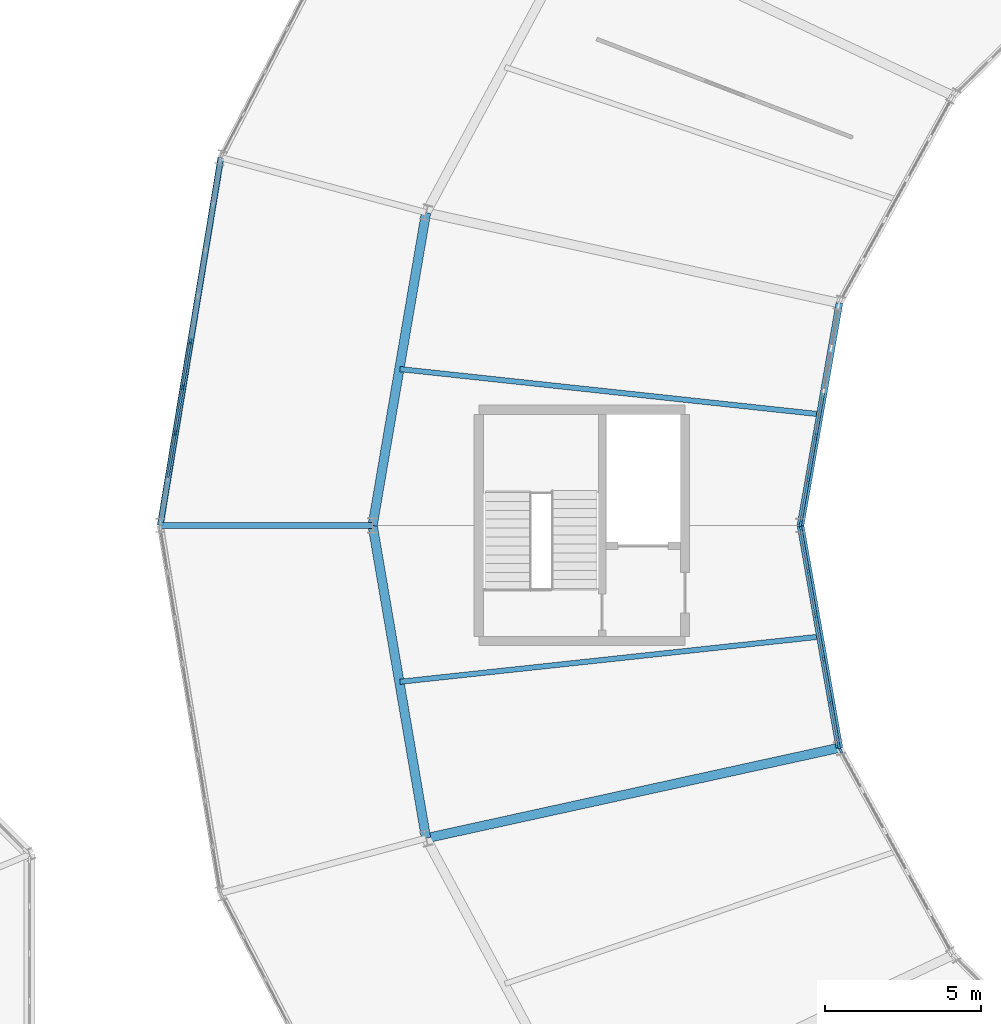
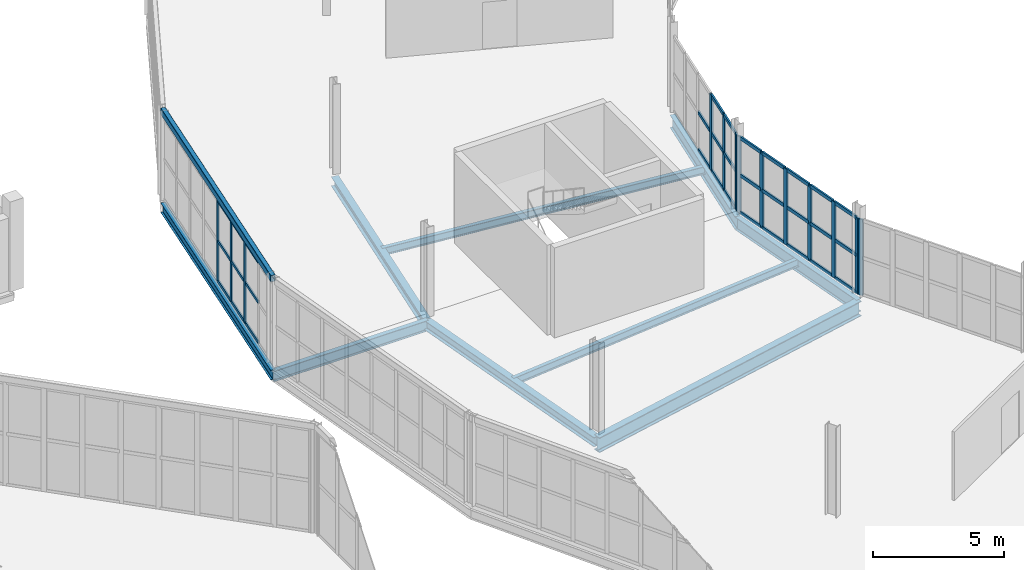
# One storey, part 54 of 161: 45 members, 10 beams, 4 elements without a shape of their own.
"""IFC4 building model written with IfcOpenShell, lengths in metres."""

from ifc_helpers import new_model, si_unit, direction, frame, origin, origin_2d, place, context, subcontext, project, spatial, rectangle, hollow_rectangle, i_section, extrude, material, material_profile, profile_set, type_object, element, aggregate, save


model = new_model("IFC4")

# Units and contexts
model_context = context("Model", 3, precision=1e-05, world=origin(), true_north=direction((0.0, 1.0)))
body_context = subcontext(model_context, "Body", "Model", "MODEL_VIEW")
ifc_project = project(units=[si_unit("LENGTHUNIT", "METRE"), si_unit("AREAUNIT", "SQUARE_METRE"), si_unit("VOLUMEUNIT", "CUBIC_METRE"), si_unit("PLANEANGLEUNIT", "RADIAN"), si_unit("MASSUNIT", "GRAM", prefix="KILO")], contexts=[model_context])

# Site, building, storey
site_placement = place(None, origin())
site = spatial("IfcSite", under=ifc_project, at=site_placement, CompositionType="ELEMENT")
building_placement = place(site_placement, origin())
building = spatial("IfcBuilding", under=site, at=building_placement, Name="Kildeholm Park Wholesale Market", CompositionType="ELEMENT")
storey_placement = place(building_placement, frame((0.0, 0.0, 5.39990234375)))
storey = spatial("IfcBuildingStorey", under=building, at=storey_placement, Name="L01", CompositionType="ELEMENT", Elevation=5.39990234375)

# Beams
ifc_material_1 = material(Name="Steel S355", Category="steel")
ifc_material_profile_1 = material_profile(ifc_material_1, i_section(OverallWidth=0.300048828125, OverallDepth=0.699951171875, WebThickness=0.01708984375, FlangeThickness=0.031982421875, FilletRadius=0.027099609375, at=origin_2d()), Name="HEB 700")
ifc_profile_set_1 = profile_set([ifc_material_profile_1], Name="Steel S355")
beam_type_1 = type_object("IfcBeamType", Name="Beam B-G01 HEB 700", PredefinedType="BEAM", material=ifc_profile_set_1)
beam_1_placement = place(storey_placement, frame((63.743896484375, 82.382080078125, -0.599853515625), z_axis=(-0.976846137752, -0.213943037181, 0.0), x_axis=(0.213943037181, -0.976846137752, 0.0)))
element("IfcBeam", 1, at=beam_1_placement, inside=storey, type_object=beam_type_1, Name="Beam BM-V1-L01-R1-13 BM-0117", PredefinedType="BEAM", context=body_context, shape_type="SweptSolid", body=[
    extrude(i_section(OverallWidth=0.300048828125, OverallDepth=0.699951171875, WebThickness=0.01708984375, FlangeThickness=0.031982421875, FilletRadius=0.027099609375, at=origin_2d()), origin(), (0.0, 0.0, 1.0), 13.546630859375),
])
ifc_material_profile_2 = material_profile(ifc_material_1, i_section(OverallWidth=0.18994140625, OverallDepth=0.449951171875, WebThickness=0.009521484375, FlangeThickness=0.0146484375, FilletRadius=0.02099609375, at=origin_2d()), Name="IPE 450")
ifc_profile_set_2 = profile_set([ifc_material_profile_2], Name="Steel S355")
beam_type_2 = type_object("IfcBeamType", Name="Beam B-P02 IPE 450", PredefinedType="BEAM", material=ifc_profile_set_2)
beam_2_placement = place(storey_placement, frame((43.94189453125, 101.27587890625, -0.474853515625), z_axis=(-0.162706979486, -0.98667443406, 0.0), x_axis=(0.98667443406, -0.162706979486, 0.0)))
element("IfcBeam", 2, at=beam_2_placement, inside=storey, type_object=beam_type_2, Name="Beam BM-V1-L01-CO-11 BM-0105", PredefinedType="BEAM", context=body_context, shape_type="SweptSolid", body=[
    extrude(i_section(OverallWidth=0.18994140625, OverallDepth=0.449951171875, WebThickness=0.009521484375, FlangeThickness=0.0146484375, FilletRadius=0.02099609375, at=origin_2d()), origin(), (0.0, 0.0, 1.0), 11.934814453125),
])
ifc_material_profile_3 = material_profile(ifc_material_1, i_section(OverallWidth=0.199951171875, OverallDepth=0.5, WebThickness=0.01025390625, FlangeThickness=0.01611328125, FilletRadius=0.02099609375, at=origin_2d()), Name="IPE 500")
ifc_profile_set_3 = profile_set([ifc_material_profile_3], Name="Steel S355")
beam_type_3 = type_object("IfcBeamType", Name="Beam B-P03 IPE 500", PredefinedType="BEAM", material=ifc_profile_set_3)
beam_3_placement = place(storey_placement, frame((48.800048828125, 89.5, -0.5), z_axis=(-1.0, 0.0, 0.0), x_axis=(0.0, -1.0, 0.0)))
element("IfcBeam", 3, at=beam_3_placement, inside=storey, type_object=beam_type_3, Name="Beam BM-V1-L01-R2-12 BM-0109", PredefinedType="BEAM", context=body_context, shape_type="SweptSolid", body=[
    extrude(i_section(OverallWidth=0.199951171875, OverallDepth=0.5, WebThickness=0.01025390625, FlangeThickness=0.01611328125, FilletRadius=0.02099609375, at=origin_2d()), origin(), (0.0, 0.0, 1.0), 6.800048828125),
])
ifc_material_profile_4 = material_profile(ifc_material_1, i_section(OverallWidth=0.219970703125, OverallDepth=0.60009765625, WebThickness=0.011962890625, FlangeThickness=0.01904296875, FilletRadius=0.02392578125, at=origin_2d()), Name="IPE 600")
ifc_profile_set_4 = profile_set([ifc_material_profile_4], Name="Steel S355")
beam_type_4 = type_object("IfcBeamType", Name="Beam B-P04 IPE 600", PredefinedType="BEAM", material=ifc_profile_set_4)
for number, where, z_axis, x_axis, name in (
    (4, (63.743896484375, 96.617919921875, -0.5498046875), (-0.172146745201, -0.985071316259, 0.0), (0.985071316259, -0.172146745201, 0.0), "Beam BM-V1-L01-CI-11 BM-0103"),
    (5, (62.5, 89.5, -0.5498046875), (0.172146745201, -0.985071316259, 0.0), (0.985071316259, 0.172146745201, 0.0), "Beam BM-V1-L01-CI-12 BM-0110"),
):
    element("IfcBeam", number, at=place(storey_placement, frame(where, z_axis=z_axis, x_axis=x_axis)), inside=storey, type_object=beam_type_4, Name=name, PredefinedType="BEAM", context=body_context, shape_type="SweptSolid", body=[
        extrude(i_section(OverallWidth=0.219970703125, OverallDepth=0.60009765625, WebThickness=0.011962890625, FlangeThickness=0.01904296875, FilletRadius=0.02392578125, at=origin_2d()), origin(), (0.0, 0.0, 1.0), 7.225830078125),
    ])
ifc_material_profile_5 = material_profile(ifc_material_1, i_section(OverallWidth=0.300048828125, OverallDepth=0.43994140625, WebThickness=0.011474609375, FlangeThickness=0.02099609375, FilletRadius=0.027099609375, at=origin_2d()), Name="HEA 450")
ifc_profile_set_5 = profile_set([ifc_material_profile_5], Name="Steel S355")
beam_type_5 = type_object("IfcBeamType", Name="Beam B-R02 HEA 450", PredefinedType="BEAM", material=ifc_profile_set_5)
for number, where, z_axis, x_axis, name in (
    (6, (50.510986328125, 99.51611328125, -0.469970703125), (-0.168379597692, -0.985722228156, 0.0), (0.985722228156, -0.168379597692, 0.0), "Beam BM-V1-L01-CM-11 BM-0104"),
    (7, (48.800048828125, 89.5, -0.469970703125), (0.168379597692, -0.985722228156, 0.0), (0.985722228156, 0.168379597692, 0.0), "Beam BM-V1-L01-CM-12 BM-0111"),
):
    element("IfcBeam", number, at=place(storey_placement, frame(where, z_axis=z_axis, x_axis=x_axis)), inside=storey, type_object=beam_type_5, Name=name, PredefinedType="BEAM", context=body_context, shape_type="SweptSolid", body=[
        extrude(i_section(OverallWidth=0.300048828125, OverallDepth=0.43994140625, WebThickness=0.011474609375, FlangeThickness=0.02099609375, FilletRadius=0.027099609375, at=origin_2d()), origin(), (0.0, 0.0, 1.0), 10.1611328125),
    ])
ifc_material_profile_6 = material_profile(ifc_material_1, i_section(OverallWidth=0.169921875, OverallDepth=0.360107421875, WebThickness=0.008056640625, FlangeThickness=0.0126953125, FilletRadius=0.01806640625, at=origin_2d()), Name="IPE 360")
ifc_profile_set_6 = profile_set([ifc_material_profile_6], Name="Steel S355")
beam_type_6 = type_object("IfcBeamType", Name="Beam J-04 IPE 360", PredefinedType="JOIST", material=ifc_profile_set_6)
for number, where, z_axis, x_axis, name in (
    (8, (63.10205078125, 93.06103515625, -0.429931640625), (-0.994260078886, 0.106990165591, 0.0), (-0.106990165591, -0.994260078886, 0.0), "Beam JT-V1-L01-11 BM-0108"),
    (9, (63.10205078125, 85.93896484375, -0.429931640625), (-0.994260078886, -0.106990165591, 0.0), (0.106990165591, -0.994260078886, 0.0), "Beam JT-V1-L01-12 BM-0115"),
):
    element("IfcBeam", number, at=place(storey_placement, frame(where, z_axis=z_axis, x_axis=x_axis)), inside=storey, type_object=beam_type_6, Name=name, PredefinedType="JOIST", context=body_context, shape_type="SweptSolid", body=[
        extrude(i_section(OverallWidth=0.169921875, OverallDepth=0.360107421875, WebThickness=0.008056640625, FlangeThickness=0.0126953125, FilletRadius=0.01806640625, at=origin_2d()), origin(), (0.0, 0.0, 1.0), 13.504150390625),
    ])
ifc_material_profile_7 = material_profile(ifc_material_1, hollow_rectangle(XDim=0.199951171875, YDim=0.300048828125, WallThickness=0.012451171875, InnerFilletRadius=0.012451171875, OuterFilletRadius=0.02490234375, at=origin_2d()), Name="RHS 300x200x12.5")
ifc_profile_set_7 = profile_set([ifc_material_profile_7], Name="Steel S355")
beam_type_7 = type_object("IfcBeamType", Name="Beam SP-01 RHS 300x200x12.5", PredefinedType="SPANDREL", material=ifc_profile_set_7)
beam_4_placement = place(storey_placement, frame((43.94189453125, 101.27587890625, 4.02294921875), z_axis=(-0.162706979486, -0.98667443406, 0.0), x_axis=(0.98667443406, -0.162706979486, 0.0)))
element("IfcBeam", 10, at=beam_4_placement, inside=storey, type_object=beam_type_7, Name="Beam SP-V1-EAV-11 BM-0286", PredefinedType="SPANDREL", context=body_context, shape_type="SweptSolid", body=[
    extrude(hollow_rectangle(XDim=0.199951171875, YDim=0.300048828125, WallThickness=0.012451171875, InnerFilletRadius=0.012451171875, OuterFilletRadius=0.02490234375, at=origin_2d()), origin(), (0.0, 0.0, 1.0), 11.934814453125),
])

# Curtain wall, members
ifc_material_2 = material(Name="Anodised aluminium and low-E double-glazed glass", Category="aluminium")
curtain_wall_type = type_object("IfcCurtainWallType", Name="Market hall glazed arcade stick curtain wall CW-01", PredefinedType="NOTDEFINED", material=ifc_material_2)
curtain_wall_1_placement = place(storey_placement, origin())
curtain_wall_1 = element("IfcCurtainWall", 11, at=curtain_wall_1_placement, inside=storey, type_object=curtain_wall_type, Name="Curtain wall CW-V1-OT-11-1 CW-0054", PredefinedType="NOTDEFINED")
ifc_material_3 = material(Name="Anodised aluminium", Category="aluminium")
ifc_material_profile_8 = material_profile(ifc_material_3, rectangle(XDim=0.06494140625, YDim=0.179931640625, at=origin_2d()), Name="CWM 65x180")
ifc_profile_set_8 = profile_set([ifc_material_profile_8], Name="Anodised aluminium")
member_type_1 = type_object("IfcMemberType", Name="Curtain-wall mullion CWM-1 CWM 65x180", PredefinedType="MULLION", material=ifc_profile_set_8)
member_1_placement = place(storey_placement, frame((42.964599609375, 95.388916015625, 0.0), z_axis=(0.0, 0.0, 1.0), x_axis=(0.98667513756, -0.162702713317, 0.0)))
member_1 = element("IfcMember", 12, at=member_1_placement, type_object=member_type_1, Name="CW-01 mullion 5 MEM-1875", PredefinedType="MULLION", context=body_context, shape_type="SweptSolid", body=[
    extrude(rectangle(XDim=0.06494140625, YDim=0.179931640625, at=origin_2d()), origin(), (0.0, 0.0, 1.0), 3.800048828125),
])
member_2_placement = place(storey_placement, frame((42.723388671875, 93.9267578125, 0.0), z_axis=(0.0, 0.0, 1.0), x_axis=(0.98667513756, -0.162702713317, 0.0)))
member_2 = element("IfcMember", 13, at=member_2_placement, type_object=member_type_1, Name="CW-01 mullion 6 MEM-1876", PredefinedType="MULLION", context=body_context, shape_type="SweptSolid", body=[
    extrude(rectangle(XDim=0.06494140625, YDim=0.179931640625, at=origin_2d()), origin(), (0.0, 0.0, 1.0), 3.800048828125),
])
member_3_placement = place(storey_placement, frame((42.482177734375, 92.464599609375, 0.0), z_axis=(0.0, 0.0, 1.0), x_axis=(0.98667513756, -0.162702713317, 0.0)))
member_3 = element("IfcMember", 14, at=member_3_placement, type_object=member_type_1, Name="CW-01 mullion 7 MEM-1877", PredefinedType="MULLION", context=body_context, shape_type="SweptSolid", body=[
    extrude(rectangle(XDim=0.06494140625, YDim=0.179931640625, at=origin_2d()), origin(), (0.0, 0.0, 1.0), 3.800048828125),
])

curtain_wall_2_placement = place(storey_placement, origin())
curtain_wall_2 = element("IfcCurtainWall", 15, at=curtain_wall_2_placement, inside=storey, type_object=curtain_wall_type, Name="Curtain wall CW-V1-IN1-11 CW-0057", PredefinedType="NOTDEFINED")
ifc_material_profile_9 = material_profile(ifc_material_3, rectangle(XDim=0.074951171875, YDim=0.219970703125, at=origin_2d()), Name="CWM 75x220")
ifc_profile_set_9 = profile_set([ifc_material_profile_9], Name="Anodised aluminium")
member_type_2 = type_object("IfcMemberType", Name="Curtain-wall mullion CWM-2 CWM 75x220", PredefinedType="MULLION", material=ifc_profile_set_9)
member_4_placement = place(storey_placement, frame((62.991943359375, 92.355712890625, 0.0), z_axis=(0.0, 0.0, 1.0), x_axis=(0.985073802851, -0.172132515628, 0.0)))
member_4 = element("IfcMember", 16, at=member_4_placement, type_object=member_type_2, Name="CW-01 mullion 4 MEM-1957", PredefinedType="MULLION", context=body_context, shape_type="SweptSolid", body=[
    extrude(rectangle(XDim=0.074951171875, YDim=0.219970703125, at=origin_2d()), origin(), (0.0, 0.0, 1.0), 3.550048828125),
])
member_5_placement = place(storey_placement, frame((62.74609375, 90.94775390625, 0.0), z_axis=(0.0, 0.0, 1.0), x_axis=(0.985073802851, -0.172132515628, 0.0)))
member_5 = element("IfcMember", 17, at=member_5_placement, type_object=member_type_2, Name="CW-01 mullion 5 MEM-1958", PredefinedType="MULLION", context=body_context, shape_type="SweptSolid", body=[
    extrude(rectangle(XDim=0.074951171875, YDim=0.219970703125, at=origin_2d()), origin(), (0.0, 0.0, 1.0), 3.550048828125),
])
member_6_placement = place(storey_placement, frame((62.50634765625, 89.576904296875, 0.0), z_axis=(0.0, 0.0, 1.0), x_axis=(0.985073802851, -0.172132515628, 0.0)))
member_6 = element("IfcMember", 18, at=member_6_placement, type_object=member_type_2, Name="CW-01 mullion 6 MEM-1959", PredefinedType="MULLION", context=body_context, shape_type="SweptSolid", body=[
    extrude(rectangle(XDim=0.074951171875, YDim=0.219970703125, at=origin_2d()), origin(), (0.0, 0.0, 1.0), 3.550048828125),
])

curtain_wall_3_placement = place(storey_placement, origin())
curtain_wall_3 = element("IfcCurtainWall", 19, at=curtain_wall_3_placement, inside=storey, type_object=curtain_wall_type, Name="Curtain wall CW-V1-IN1-12 CW-0062", PredefinedType="NOTDEFINED")
member_7_placement = place(storey_placement, frame((62.50634765625, 89.423095703125, 0.0), z_axis=(0.0, 0.0, 1.0), x_axis=(0.985073802851, 0.172132515628, 0.0)))
member_7 = element("IfcMember", 20, at=member_7_placement, type_object=member_type_2, Name="CW-01 mullion 1 MEM-2079", PredefinedType="MULLION", context=body_context, shape_type="SweptSolid", body=[
    extrude(rectangle(XDim=0.074951171875, YDim=0.219970703125, at=origin_2d()), origin(), (0.0, 0.0, 1.0), 3.550048828125),
])
member_8_placement = place(storey_placement, frame((62.74609375, 88.05224609375, 0.0), z_axis=(0.0, 0.0, 1.0), x_axis=(0.985073802851, 0.172132515628, 0.0)))
member_8 = element("IfcMember", 21, at=member_8_placement, type_object=member_type_2, Name="CW-01 mullion 2 MEM-2080", PredefinedType="MULLION", context=body_context, shape_type="SweptSolid", body=[
    extrude(rectangle(XDim=0.074951171875, YDim=0.219970703125, at=origin_2d()), origin(), (0.0, 0.0, 1.0), 3.550048828125),
])
member_9_placement = place(storey_placement, frame((62.991943359375, 86.644287109375, 0.0), z_axis=(0.0, 0.0, 1.0), x_axis=(0.985073802851, 0.172132515628, 0.0)))
member_9 = element("IfcMember", 22, at=member_9_placement, type_object=member_type_2, Name="CW-01 mullion 3 MEM-2081", PredefinedType="MULLION", context=body_context, shape_type="SweptSolid", body=[
    extrude(rectangle(XDim=0.074951171875, YDim=0.219970703125, at=origin_2d()), origin(), (0.0, 0.0, 1.0), 3.550048828125),
])
member_10_placement = place(storey_placement, frame((63.238037109375, 85.236572265625, 0.0), z_axis=(0.0, 0.0, 1.0), x_axis=(0.985073802851, 0.172132515628, 0.0)))
member_10 = element("IfcMember", 23, at=member_10_placement, type_object=member_type_2, Name="CW-01 mullion 4 MEM-2082", PredefinedType="MULLION", context=body_context, shape_type="SweptSolid", body=[
    extrude(rectangle(XDim=0.074951171875, YDim=0.219970703125, at=origin_2d()), origin(), (0.0, 0.0, 1.0), 3.550048828125),
])
member_11_placement = place(storey_placement, frame((63.48388671875, 83.828857421875, 0.0), z_axis=(0.0, 0.0, 1.0), x_axis=(0.985073802851, 0.172132515628, 0.0)))
member_11 = element("IfcMember", 24, at=member_11_placement, type_object=member_type_2, Name="CW-01 mullion 5 MEM-2083", PredefinedType="MULLION", context=body_context, shape_type="SweptSolid", body=[
    extrude(rectangle(XDim=0.074951171875, YDim=0.219970703125, at=origin_2d()), origin(), (0.0, 0.0, 1.0), 3.550048828125),
])
member_12_placement = place(storey_placement, frame((63.7236328125, 82.4580078125, 0.0), z_axis=(0.0, 0.0, 1.0), x_axis=(0.985073802851, 0.172132515628, 0.0)))
member_12 = element("IfcMember", 25, at=member_12_placement, type_object=member_type_2, Name="CW-01 mullion 6 MEM-2084", PredefinedType="MULLION", context=body_context, shape_type="SweptSolid", body=[
    extrude(rectangle(XDim=0.074951171875, YDim=0.219970703125, at=origin_2d()), origin(), (0.0, 0.0, 1.0), 3.550048828125),
])

# Curtain wall, member
curtain_wall_4_placement = place(storey_placement, origin())
curtain_wall_4 = element("IfcCurtainWall", 26, at=curtain_wall_4_placement, inside=storey, type_object=curtain_wall_type, Name="Curtain wall CW-V1-IN1-13 CW-0067", PredefinedType="NOTDEFINED")
member_13_placement = place(storey_placement, frame((63.775146484375, 82.313232421875, 0.0), z_axis=(0.0, 0.0, 1.0), x_axis=(0.876308922506, 0.481749595055, 0.0)))
member_13 = element("IfcMember", 27, at=member_13_placement, type_object=member_type_2, Name="CW-01 mullion 1 MEM-2204", PredefinedType="MULLION", context=body_context, shape_type="SweptSolid", body=[
    extrude(rectangle(XDim=0.074951171875, YDim=0.219970703125, at=origin_2d()), origin(), (0.0, 0.0, 1.0), 3.550048828125),
])
aggregate(curtain_wall_4, [member_13])

# Member
ifc_material_profile_10 = material_profile(ifc_material_3, rectangle(XDim=0.06494140625, YDim=0.139892578125, at=origin_2d()), Name="CWT 65x140")
ifc_profile_set_10 = profile_set([ifc_material_profile_10], Name="Anodised aluminium")
member_type_3 = type_object("IfcMemberType", Name="Curtain-wall transom CWT-1 CWT 65x140", PredefinedType="USERDEFINED", material=ifc_profile_set_10)
member_14_placement = place(storey_placement, frame((42.959228515625, 95.35693359375, 0.03271484375), z_axis=(-0.162638607798, -0.98668570642, 0.0), x_axis=(0.98668570642, -0.162638607798, 0.0)))
member_14 = element("IfcMember", 28, at=member_14_placement, type_object=member_type_3, Name="CW-01 transom 5.1 MEM-1892", ObjectType="TRANSOM", PredefinedType="USERDEFINED", context=body_context, shape_type="SweptSolid", body=[
    extrude(rectangle(XDim=0.06494140625, YDim=0.139892578125, at=origin_2d()), origin(), (0.0, 0.0, 1.0), 1.4169921875),
])

member_15_placement = place(storey_placement, frame((42.959228515625, 95.35693359375, 1.900146484375), z_axis=(-0.162638607798, -0.98668570642, 0.0), x_axis=(0.98668570642, -0.162638607798, 0.0)))
member_15 = element("IfcMember", 29, at=member_15_placement, type_object=member_type_3, Name="CW-01 transom 5.2 MEM-1893", ObjectType="TRANSOM", PredefinedType="USERDEFINED", context=body_context, shape_type="SweptSolid", body=[
    extrude(rectangle(XDim=0.06494140625, YDim=0.139892578125, at=origin_2d()), origin(), (0.0, 0.0, 1.0), 1.4169921875),
])

member_16_placement = place(storey_placement, frame((42.959228515625, 95.35693359375, 3.767578125), z_axis=(-0.162638607798, -0.98668570642, 0.0), x_axis=(0.98668570642, -0.162638607798, 0.0)))
member_16 = element("IfcMember", 30, at=member_16_placement, type_object=member_type_3, Name="CW-01 transom 5.3 MEM-1894", ObjectType="TRANSOM", PredefinedType="USERDEFINED", context=body_context, shape_type="SweptSolid", body=[
    extrude(rectangle(XDim=0.06494140625, YDim=0.139892578125, at=origin_2d()), origin(), (0.0, 0.0, 1.0), 1.4169921875),
])

member_17_placement = place(storey_placement, frame((42.718017578125, 93.894775390625, 0.03271484375), z_axis=(-0.162638607798, -0.98668570642, 0.0), x_axis=(0.98668570642, -0.162638607798, 0.0)))
member_17 = element("IfcMember", 31, at=member_17_placement, type_object=member_type_3, Name="CW-01 transom 6.1 MEM-1895", ObjectType="TRANSOM", PredefinedType="USERDEFINED", context=body_context, shape_type="SweptSolid", body=[
    extrude(rectangle(XDim=0.06494140625, YDim=0.139892578125, at=origin_2d()), origin(), (0.0, 0.0, 1.0), 1.4169921875),
])

member_18_placement = place(storey_placement, frame((42.718017578125, 93.894775390625, 1.900146484375), z_axis=(-0.162638607798, -0.98668570642, 0.0), x_axis=(0.98668570642, -0.162638607798, 0.0)))
member_18 = element("IfcMember", 32, at=member_18_placement, type_object=member_type_3, Name="CW-01 transom 6.2 MEM-1896", ObjectType="TRANSOM", PredefinedType="USERDEFINED", context=body_context, shape_type="SweptSolid", body=[
    extrude(rectangle(XDim=0.06494140625, YDim=0.139892578125, at=origin_2d()), origin(), (0.0, 0.0, 1.0), 1.4169921875),
])

member_19_placement = place(storey_placement, frame((42.718017578125, 93.894775390625, 3.767578125), z_axis=(-0.162638607798, -0.98668570642, 0.0), x_axis=(0.98668570642, -0.162638607798, 0.0)))
member_19 = element("IfcMember", 33, at=member_19_placement, type_object=member_type_3, Name="CW-01 transom 6.3 MEM-1897", ObjectType="TRANSOM", PredefinedType="USERDEFINED", context=body_context, shape_type="SweptSolid", body=[
    extrude(rectangle(XDim=0.06494140625, YDim=0.139892578125, at=origin_2d()), origin(), (0.0, 0.0, 1.0), 1.4169921875),
])

member_20_placement = place(storey_placement, frame((42.47705078125, 92.432373046875, 0.03271484375), z_axis=(-0.162834009189, -0.9866534779, 0.0), x_axis=(0.9866534779, -0.162834009189, 0.0)))
member_20 = element("IfcMember", 34, at=member_20_placement, type_object=member_type_3, Name="CW-01 transom 7.1 MEM-1898", ObjectType="TRANSOM", PredefinedType="USERDEFINED", context=body_context, shape_type="SweptSolid", body=[
    extrude(rectangle(XDim=0.06494140625, YDim=0.139892578125, at=origin_2d()), origin(), (0.0, 0.0, 1.0), 1.416748046875),
])

member_21_placement = place(storey_placement, frame((42.47705078125, 92.432373046875, 1.900146484375), z_axis=(-0.162834009189, -0.9866534779, 0.0), x_axis=(0.9866534779, -0.162834009189, 0.0)))
member_21 = element("IfcMember", 35, at=member_21_placement, type_object=member_type_3, Name="CW-01 transom 7.2 MEM-1899", ObjectType="TRANSOM", PredefinedType="USERDEFINED", context=body_context, shape_type="SweptSolid", body=[
    extrude(rectangle(XDim=0.06494140625, YDim=0.139892578125, at=origin_2d()), origin(), (0.0, 0.0, 1.0), 1.416748046875),
])

member_22_placement = place(storey_placement, frame((42.47705078125, 92.432373046875, 3.767578125), z_axis=(-0.162834009189, -0.9866534779, 0.0), x_axis=(0.9866534779, -0.162834009189, 0.0)))
member_22 = element("IfcMember", 36, at=member_22_placement, type_object=member_type_3, Name="CW-01 transom 7.3 MEM-1900", ObjectType="TRANSOM", PredefinedType="USERDEFINED", context=body_context, shape_type="SweptSolid", body=[
    extrude(rectangle(XDim=0.06494140625, YDim=0.139892578125, at=origin_2d()), origin(), (0.0, 0.0, 1.0), 1.416748046875),
])

aggregate(curtain_wall_1, [member_1, member_2, member_3, member_14, member_15, member_16, member_17, member_18, member_19, member_20, member_21, member_22])

ifc_material_profile_11 = material_profile(ifc_material_3, rectangle(XDim=0.074951171875, YDim=0.159912109375, at=origin_2d()), Name="CWT 75x160")
ifc_profile_set_11 = profile_set([ifc_material_profile_11], Name="Anodised aluminium")
member_type_4 = type_object("IfcMemberType", Name="Curtain-wall transom CWT-2 CWT 75x160", PredefinedType="USERDEFINED", material=ifc_profile_set_11)
member_23_placement = place(storey_placement, frame((63.2314453125, 93.7265625, 0.03759765625), z_axis=(-0.17199546935, -0.985097740594, 0.0), x_axis=(0.985097740594, -0.17199546935, 0.0)))
member_23 = element("IfcMember", 37, at=member_23_placement, type_object=member_type_4, Name="CW-01 transom 3.1 MEM-1966", ObjectType="TRANSOM", PredefinedType="USERDEFINED", context=body_context, shape_type="SweptSolid", body=[
    extrude(rectangle(XDim=0.074951171875, YDim=0.159912109375, at=origin_2d()), origin(), (0.0, 0.0, 1.0), 1.354248046875),
])

member_24_placement = place(storey_placement, frame((63.2314453125, 93.7265625, 1.775146484375), z_axis=(-0.17199546935, -0.985097740594, 0.0), x_axis=(0.985097740594, -0.17199546935, 0.0)))
member_24 = element("IfcMember", 38, at=member_24_placement, type_object=member_type_4, Name="CW-01 transom 3.2 MEM-1967", ObjectType="TRANSOM", PredefinedType="USERDEFINED", context=body_context, shape_type="SweptSolid", body=[
    extrude(rectangle(XDim=0.074951171875, YDim=0.159912109375, at=origin_2d()), origin(), (0.0, 0.0, 1.0), 1.354248046875),
])

member_25_placement = place(storey_placement, frame((62.985595703125, 92.318603515625, 0.03759765625), z_axis=(-0.17217041658, -0.98506717926, 0.0), x_axis=(0.98506717926, -0.17217041658, 0.0)))
member_25 = element("IfcMember", 39, at=member_25_placement, type_object=member_type_4, Name="CW-01 transom 4.1 MEM-1969", ObjectType="TRANSOM", PredefinedType="USERDEFINED", context=body_context, shape_type="SweptSolid", body=[
    extrude(rectangle(XDim=0.074951171875, YDim=0.159912109375, at=origin_2d()), origin(), (0.0, 0.0, 1.0), 1.354248046875),
])

member_26_placement = place(storey_placement, frame((62.985595703125, 92.318603515625, 1.775146484375), z_axis=(-0.17217041658, -0.98506717926, 0.0), x_axis=(0.98506717926, -0.17217041658, 0.0)))
member_26 = element("IfcMember", 40, at=member_26_placement, type_object=member_type_4, Name="CW-01 transom 4.2 MEM-1970", ObjectType="TRANSOM", PredefinedType="USERDEFINED", context=body_context, shape_type="SweptSolid", body=[
    extrude(rectangle(XDim=0.074951171875, YDim=0.159912109375, at=origin_2d()), origin(), (0.0, 0.0, 1.0), 1.354248046875),
])

member_27_placement = place(storey_placement, frame((62.985595703125, 92.318603515625, 3.5126953125), z_axis=(-0.17217041658, -0.98506717926, 0.0), x_axis=(0.98506717926, -0.17217041658, 0.0)))
member_27 = element("IfcMember", 41, at=member_27_placement, type_object=member_type_4, Name="CW-01 transom 4.3 MEM-1971", ObjectType="TRANSOM", PredefinedType="USERDEFINED", context=body_context, shape_type="SweptSolid", body=[
    extrude(rectangle(XDim=0.074951171875, YDim=0.159912109375, at=origin_2d()), origin(), (0.0, 0.0, 1.0), 1.354248046875),
])

member_28_placement = place(storey_placement, frame((62.739501953125, 90.910888671875, 0.03759765625), z_axis=(-0.172060998264, -0.985086297172, 0.0), x_axis=(0.985086297172, -0.172060998264, 0.0)))
member_28 = element("IfcMember", 42, at=member_28_placement, type_object=member_type_4, Name="CW-01 transom 5.1 MEM-1972", ObjectType="TRANSOM", PredefinedType="USERDEFINED", context=body_context, shape_type="SweptSolid", body=[
    extrude(rectangle(XDim=0.074951171875, YDim=0.159912109375, at=origin_2d()), origin(), (0.0, 0.0, 1.0), 1.316650390625),
])

member_29_placement = place(storey_placement, frame((62.739501953125, 90.910888671875, 1.775146484375), z_axis=(-0.172060998264, -0.985086297172, 0.0), x_axis=(0.985086297172, -0.172060998264, 0.0)))
member_29 = element("IfcMember", 43, at=member_29_placement, type_object=member_type_4, Name="CW-01 transom 5.2 MEM-1973", ObjectType="TRANSOM", PredefinedType="USERDEFINED", context=body_context, shape_type="SweptSolid", body=[
    extrude(rectangle(XDim=0.074951171875, YDim=0.159912109375, at=origin_2d()), origin(), (0.0, 0.0, 1.0), 1.316650390625),
])

member_30_placement = place(storey_placement, frame((62.739501953125, 90.910888671875, 3.5126953125), z_axis=(-0.172060998264, -0.985086297172, 0.0), x_axis=(0.985086297172, -0.172060998264, 0.0)))
member_30 = element("IfcMember", 44, at=member_30_placement, type_object=member_type_4, Name="CW-01 transom 5.3 MEM-1974", ObjectType="TRANSOM", PredefinedType="USERDEFINED", context=body_context, shape_type="SweptSolid", body=[
    extrude(rectangle(XDim=0.074951171875, YDim=0.159912109375, at=origin_2d()), origin(), (0.0, 0.0, 1.0), 1.316650390625),
])

aggregate(curtain_wall_2, [member_4, member_5, member_6, member_23, member_24, member_25, member_26, member_27, member_28, member_29, member_30])

member_31_placement = place(storey_placement, frame((62.512939453125, 89.38623046875, 0.03759765625), z_axis=(0.172060998264, -0.985086297172, 0.0), x_axis=(0.985086297172, 0.172060998264, 0.0)))
member_31 = element("IfcMember", 45, at=member_31_placement, type_object=member_type_4, Name="CW-01 transom 1.1 MEM-2085", ObjectType="TRANSOM", PredefinedType="USERDEFINED", context=body_context, shape_type="SweptSolid", body=[
    extrude(rectangle(XDim=0.074951171875, YDim=0.159912109375, at=origin_2d()), origin(), (0.0, 0.0, 1.0), 1.316650390625),
])

member_32_placement = place(storey_placement, frame((62.512939453125, 89.38623046875, 1.775146484375), z_axis=(0.172060998264, -0.985086297172, 0.0), x_axis=(0.985086297172, 0.172060998264, 0.0)))
member_32 = element("IfcMember", 46, at=member_32_placement, type_object=member_type_4, Name="CW-01 transom 1.2 MEM-2086", ObjectType="TRANSOM", PredefinedType="USERDEFINED", context=body_context, shape_type="SweptSolid", body=[
    extrude(rectangle(XDim=0.074951171875, YDim=0.159912109375, at=origin_2d()), origin(), (0.0, 0.0, 1.0), 1.316650390625),
])

member_33_placement = place(storey_placement, frame((62.512939453125, 89.38623046875, 3.5126953125), z_axis=(0.172060998264, -0.985086297172, 0.0), x_axis=(0.985086297172, 0.172060998264, 0.0)))
member_33 = element("IfcMember", 47, at=member_33_placement, type_object=member_type_4, Name="CW-01 transom 1.3 MEM-2087", ObjectType="TRANSOM", PredefinedType="USERDEFINED", context=body_context, shape_type="SweptSolid", body=[
    extrude(rectangle(XDim=0.074951171875, YDim=0.159912109375, at=origin_2d()), origin(), (0.0, 0.0, 1.0), 1.316650390625),
])

member_34_placement = place(storey_placement, frame((62.75244140625, 88.015380859375, 0.03759765625), z_axis=(0.17217041658, -0.98506717926, 0.0), x_axis=(0.98506717926, 0.17217041658, 0.0)))
member_34 = element("IfcMember", 48, at=member_34_placement, type_object=member_type_4, Name="CW-01 transom 2.1 MEM-2088", ObjectType="TRANSOM", PredefinedType="USERDEFINED", context=body_context, shape_type="SweptSolid", body=[
    extrude(rectangle(XDim=0.074951171875, YDim=0.159912109375, at=origin_2d()), origin(), (0.0, 0.0, 1.0), 1.354248046875),
])

member_35_placement = place(storey_placement, frame((62.75244140625, 88.015380859375, 1.775146484375), z_axis=(0.17217041658, -0.98506717926, 0.0), x_axis=(0.98506717926, 0.17217041658, 0.0)))
member_35 = element("IfcMember", 49, at=member_35_placement, type_object=member_type_4, Name="CW-01 transom 2.2 MEM-2089", ObjectType="TRANSOM", PredefinedType="USERDEFINED", context=body_context, shape_type="SweptSolid", body=[
    extrude(rectangle(XDim=0.074951171875, YDim=0.159912109375, at=origin_2d()), origin(), (0.0, 0.0, 1.0), 1.354248046875),
])

member_36_placement = place(storey_placement, frame((62.75244140625, 88.015380859375, 3.5126953125), z_axis=(0.17217041658, -0.98506717926, 0.0), x_axis=(0.98506717926, 0.17217041658, 0.0)))
member_36 = element("IfcMember", 50, at=member_36_placement, type_object=member_type_4, Name="CW-01 transom 2.3 MEM-2090", ObjectType="TRANSOM", PredefinedType="USERDEFINED", context=body_context, shape_type="SweptSolid", body=[
    extrude(rectangle(XDim=0.074951171875, YDim=0.159912109375, at=origin_2d()), origin(), (0.0, 0.0, 1.0), 1.354248046875),
])

member_37_placement = place(storey_placement, frame((62.99853515625, 86.607421875, 0.03759765625), z_axis=(0.17199546935, -0.985097740594, 0.0), x_axis=(0.985097740594, 0.17199546935, 0.0)))
member_37 = element("IfcMember", 51, at=member_37_placement, type_object=member_type_4, Name="CW-01 transom 3.1 MEM-2091", ObjectType="TRANSOM", PredefinedType="USERDEFINED", context=body_context, shape_type="SweptSolid", body=[
    extrude(rectangle(XDim=0.074951171875, YDim=0.159912109375, at=origin_2d()), origin(), (0.0, 0.0, 1.0), 1.354248046875),
])

member_38_placement = place(storey_placement, frame((62.99853515625, 86.607421875, 1.775146484375), z_axis=(0.17199546935, -0.985097740594, 0.0), x_axis=(0.985097740594, 0.17199546935, 0.0)))
member_38 = element("IfcMember", 52, at=member_38_placement, type_object=member_type_4, Name="CW-01 transom 3.2 MEM-2092", ObjectType="TRANSOM", PredefinedType="USERDEFINED", context=body_context, shape_type="SweptSolid", body=[
    extrude(rectangle(XDim=0.074951171875, YDim=0.159912109375, at=origin_2d()), origin(), (0.0, 0.0, 1.0), 1.354248046875),
])

member_39_placement = place(storey_placement, frame((62.99853515625, 86.607421875, 3.5126953125), z_axis=(0.17199546935, -0.985097740594, 0.0), x_axis=(0.985097740594, 0.17199546935, 0.0)))
member_39 = element("IfcMember", 53, at=member_39_placement, type_object=member_type_4, Name="CW-01 transom 3.3 MEM-2093", ObjectType="TRANSOM", PredefinedType="USERDEFINED", context=body_context, shape_type="SweptSolid", body=[
    extrude(rectangle(XDim=0.074951171875, YDim=0.159912109375, at=origin_2d()), origin(), (0.0, 0.0, 1.0), 1.354248046875),
])

member_40_placement = place(storey_placement, frame((63.244384765625, 85.19970703125, 0.03759765625), z_axis=(0.17217041658, -0.98506717926, 0.0), x_axis=(0.98506717926, 0.17217041658, 0.0)))
member_40 = element("IfcMember", 54, at=member_40_placement, type_object=member_type_4, Name="CW-01 transom 4.1 MEM-2094", ObjectType="TRANSOM", PredefinedType="USERDEFINED", context=body_context, shape_type="SweptSolid", body=[
    extrude(rectangle(XDim=0.074951171875, YDim=0.159912109375, at=origin_2d()), origin(), (0.0, 0.0, 1.0), 1.354248046875),
])

member_41_placement = place(storey_placement, frame((63.244384765625, 85.19970703125, 1.775146484375), z_axis=(0.17217041658, -0.98506717926, 0.0), x_axis=(0.98506717926, 0.17217041658, 0.0)))
member_41 = element("IfcMember", 55, at=member_41_placement, type_object=member_type_4, Name="CW-01 transom 4.2 MEM-2095", ObjectType="TRANSOM", PredefinedType="USERDEFINED", context=body_context, shape_type="SweptSolid", body=[
    extrude(rectangle(XDim=0.074951171875, YDim=0.159912109375, at=origin_2d()), origin(), (0.0, 0.0, 1.0), 1.354248046875),
])

member_42_placement = place(storey_placement, frame((63.244384765625, 85.19970703125, 3.5126953125), z_axis=(0.17217041658, -0.98506717926, 0.0), x_axis=(0.98506717926, 0.17217041658, 0.0)))
member_42 = element("IfcMember", 56, at=member_42_placement, type_object=member_type_4, Name="CW-01 transom 4.3 MEM-2096", ObjectType="TRANSOM", PredefinedType="USERDEFINED", context=body_context, shape_type="SweptSolid", body=[
    extrude(rectangle(XDim=0.074951171875, YDim=0.159912109375, at=origin_2d()), origin(), (0.0, 0.0, 1.0), 1.354248046875),
])

member_43_placement = place(storey_placement, frame((63.490478515625, 83.791748046875, 0.03759765625), z_axis=(0.172092430067, -0.985080806591, 0.0), x_axis=(0.985080806591, 0.172092430067, 0.0)))
member_43 = element("IfcMember", 57, at=member_43_placement, type_object=member_type_4, Name="CW-01 transom 5.1 MEM-2097", ObjectType="TRANSOM", PredefinedType="USERDEFINED", context=body_context, shape_type="SweptSolid", body=[
    extrude(rectangle(XDim=0.074951171875, YDim=0.159912109375, at=origin_2d()), origin(), (0.0, 0.0, 1.0), 1.31640625),
])

member_44_placement = place(storey_placement, frame((63.490478515625, 83.791748046875, 1.775146484375), z_axis=(0.172092430067, -0.985080806591, 0.0), x_axis=(0.985080806591, 0.172092430067, 0.0)))
member_44 = element("IfcMember", 58, at=member_44_placement, type_object=member_type_4, Name="CW-01 transom 5.2 MEM-2098", ObjectType="TRANSOM", PredefinedType="USERDEFINED", context=body_context, shape_type="SweptSolid", body=[
    extrude(rectangle(XDim=0.074951171875, YDim=0.159912109375, at=origin_2d()), origin(), (0.0, 0.0, 1.0), 1.31640625),
])

member_45_placement = place(storey_placement, frame((63.490478515625, 83.791748046875, 3.5126953125), z_axis=(0.172092430067, -0.985080806591, 0.0), x_axis=(0.985080806591, 0.172092430067, 0.0)))
member_45 = element("IfcMember", 59, at=member_45_placement, type_object=member_type_4, Name="CW-01 transom 5.3 MEM-2099", ObjectType="TRANSOM", PredefinedType="USERDEFINED", context=body_context, shape_type="SweptSolid", body=[
    extrude(rectangle(XDim=0.074951171875, YDim=0.159912109375, at=origin_2d()), origin(), (0.0, 0.0, 1.0), 1.31640625),
])

aggregate(curtain_wall_3, [member_7, member_8, member_9, member_10, member_11, member_12, member_31, member_32, member_33, member_34, member_35, member_36, member_37, member_38, member_39, member_40, member_41, member_42, member_43, member_44, member_45])

save(model, "model.ifc")
